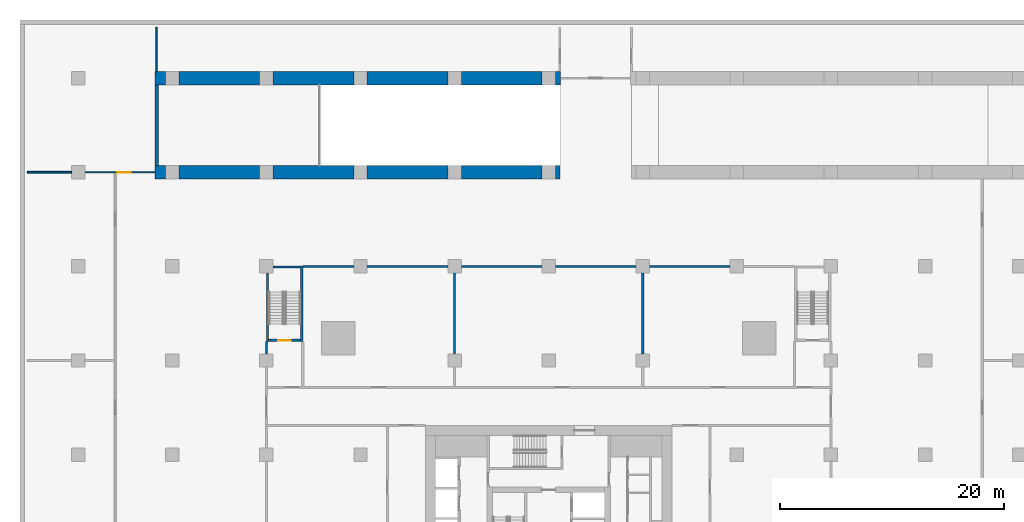
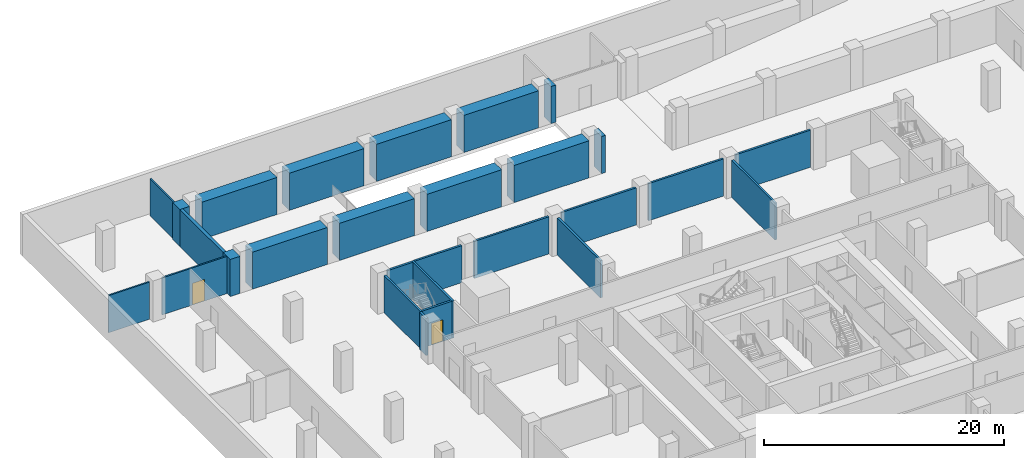
# One storey, part 9 of 16: 28 walls, 2 doors, 2 openings.
"""IFC4 building model written with IfcOpenShell, lengths in metres."""

from ifc_helpers import new_model, si_unit, direction, frame, frame_2d, origin, place, context, subcontext, project, spatial, rectangle, extrude, material, layer, layer_set, type_object, element, fill, save


model = new_model("IFC4")

# Units and contexts
model_context = context("Model", 3, precision=1e-05, world=origin(), true_north=direction((0.0, 1.0)))
body_context = subcontext(model_context, "Body", "Model", "MODEL_VIEW")
ifc_project = project(units=[si_unit("LENGTHUNIT", "METRE"), si_unit("AREAUNIT", "SQUARE_METRE"), si_unit("VOLUMEUNIT", "CUBIC_METRE"), si_unit("PLANEANGLEUNIT", "RADIAN"), si_unit("MASSUNIT", "GRAM", prefix="KILO")], contexts=[model_context])

# Site, building, storey
site_placement = place(None, origin())
site = spatial("IfcSite", under=ifc_project, at=site_placement, CompositionType="ELEMENT")
building_placement = place(site_placement, origin())
building = spatial("IfcBuilding", under=site, at=building_placement, Name="Khepri Terraces", CompositionType="ELEMENT")
storey_placement = place(building_placement, frame((0.0, 0.0, -4.199951171875)))
storey = spatial("IfcBuildingStorey", under=building, at=storey_placement, Name="B1", CompositionType="ELEMENT", Elevation=-4.199951171875)

# Wall
ifc_material_1 = material(Name="Gypsum board partition")
ifc_layer_1 = layer(ifc_material_1, 0.14990234375, Name="Gypsum board partition")
ifc_layer_set_1 = layer_set([ifc_layer_1], Name="Gypsum board partition")
wall_type_1 = type_object("IfcWallType", Name="WL-POD-150", PredefinedType="PARTITIONING", material=ifc_layer_set_1)
wall_1_placement = place(storey_placement, frame((-46.550048828125, 33.60009765625, 0.0), z_axis=(0.0, 0.0, 1.0), x_axis=(1.0, 0.0, 0.0)))
element("IfcWall", 1, at=wall_1_placement, inside=storey, type_object=wall_type_1, Name="Partition B1-PW034", PredefinedType="PARTITIONING", context=body_context, shape_type="SweptSolid", body=[
    extrude(rectangle(XDim=3.949951171875, YDim=0.14990234375, at=frame_2d((1.97509765625, 0.0))), origin(), (0.0, 0.0, 1.0), 3.780029296875),
])

# Wall, opening, door
wall_2_placement = place(storey_placement, frame((-41.39990234375, 33.60009765625, 0.0), z_axis=(0.0, 0.0, 1.0), x_axis=(1.0, 0.0, 0.0)))
wall_2 = element("IfcWall", 2, at=wall_2_placement, inside=storey, type_object=wall_type_1, Name="Partition B1-PW035", PredefinedType="PARTITIONING", context=body_context, shape_type="SweptSolid", body=[
    extrude(rectangle(XDim=6.25, YDim=0.14990234375, at=frame_2d((3.125, 0.0))), origin(), (0.0, 0.0, 1.0), 3.780029296875),
])
opening_1_placement = place(wall_2_placement, frame((2.89990234375, 0.0, 0.0)))
opening_1 = element("IfcOpeningElement", 3, at=opening_1_placement, cuts=wall_2, Name="Opening B1-P35", PredefinedType="OPENING", context=body_context, shape_type="SweptSolid", body=[
    extrude(rectangle(XDim=1.199951171875, YDim=2.199951171875, at=frame_2d((0.60009765625, 1.10009765625))), frame((0.0, 0.0849609375, 0.0), z_axis=(0.0, -1.0, 0.0), x_axis=(1.0, 0.0, 0.0)), (0.0, 0.0, 1.0), 0.169921875),
])
ifc_material_2 = material(Name="Timber veneer", Category="wood")
door_type_1 = type_object("IfcDoorType", Name="DR-POD-SINGLE-1200", OperationType="NOTDEFINED", PredefinedType="DOOR", material=ifc_material_2)
door_1_placement = place(opening_1_placement, origin())
door_1 = element("IfcDoor", 4, at=door_1_placement, inside=storey, type_object=door_type_1, Name="Door B1-P35", OperationType="SINGLE_SWING_RIGHT", OverallHeight=2.199951171875, OverallWidth=1.199951171875, PredefinedType="DOOR", context=body_context, shape_type="SweptSolid", body=[
    extrude(rectangle(XDim=1.199951171875, YDim=2.199951171875, at=frame_2d((0.60009765625, 1.10009765625))), frame((0.0, 0.02490234375, 0.0), z_axis=(0.0, -1.0, 0.0), x_axis=(1.0, 0.0, 0.0)), (0.0, 0.0, 1.0), 0.050048828125),
])
fill(opening_1, door_1)

# Walls
wall_3_placement = place(storey_placement, frame((-35.0, 42.60009765625, 0.0), z_axis=(0.0, 0.0, 1.0), x_axis=(0.0, 1.0, 0.0)))
element("IfcWall", 5, at=wall_3_placement, inside=storey, type_object=wall_type_1, Name="Partition B1-PW063", PredefinedType="PARTITIONING", context=body_context, shape_type="SweptSolid", body=[
    extrude(rectangle(XDim=3.949951171875, YDim=0.14990234375, at=frame_2d((1.97509765625, 0.0))), origin(), (0.0, 0.0, 1.0), 3.780029296875),
])
ifc_material_3 = material(Name="Fire-rated block wall")
ifc_layer_2 = layer(ifc_material_3, 0.199951171875, Name="Fire-rated block wall")
ifc_layer_set_2 = layer_set([ifc_layer_2], Name="Fire-rated block wall")
wall_type_2 = type_object("IfcWallType", Name="WL-POD-200-EI120", PredefinedType="PARTITIONING", material=ifc_layer_set_2)
wall_4_placement = place(storey_placement, frame((-21.949951171875, 25.199951171875, 0.0), z_axis=(0.0, 0.0, 1.0), x_axis=(1.0, 0.0, 0.0)))
element("IfcWall", 6, at=wall_4_placement, inside=storey, type_object=wall_type_2, Name="Partition B1-PW028", PredefinedType="PARTITIONING", context=body_context, shape_type="SweptSolid", body=[
    extrude(rectangle(XDim=4.550048828125, YDim=0.199951171875, at=frame_2d((2.27490234375, 0.0))), origin(), (0.0, 0.0, 1.0), 3.780029296875),
])
for number, where, z_axis, x_axis, name in (
    (7, (-16.199951171875, 25.199951171875, 0.0), (0.0, 0.0, 1.0), (1.0, 0.0, 0.0), "Partition B1-PW029"),
    (8, (-7.800048828125, 25.199951171875, 0.0), (0.0, 0.0, 1.0), (1.0, 0.0, 0.0), "Partition B1-PW030"),
    (9, (0.60009765625, 25.199951171875, 0.0), (0.0, 0.0, 1.0), (1.0, 0.0, 0.0), "Partition B1-PW031"),
    (10, (9.0, 25.199951171875, 0.0), (0.0, 0.0, 1.0), (1.0, 0.0, 0.0), "Partition B1-PW032"),
):
    element("IfcWall", number, at=place(storey_placement, frame(where, z_axis=z_axis, x_axis=x_axis)), inside=storey, type_object=wall_type_2, Name=name, PredefinedType="PARTITIONING", context=body_context, shape_type="SweptSolid", body=[
        extrude(rectangle(XDim=7.199951171875, YDim=0.199951171875, at=frame_2d((3.60009765625, 0.0))), origin(), (0.0, 0.0, 1.0), 3.780029296875),
    ])
wall_5_placement = place(storey_placement, frame((-25.199951171875, 17.39990234375, 0.0), z_axis=(0.0, 0.0, 1.0), x_axis=(0.0, 1.0, 0.0)))
element("IfcWall", 11, at=wall_5_placement, inside=storey, type_object=wall_type_2, Name="Partition B1-PW073", PredefinedType="PARTITIONING", context=body_context, shape_type="SweptSolid", body=[
    extrude(rectangle(XDim=1.10009765625, YDim=0.199951171875, at=frame_2d((0.550048828125, 0.0))), origin(), (0.0, 0.0, 1.0), 3.780029296875),
])
for number, where, z_axis, x_axis, name in (
    (12, (-8.39990234375, 17.39990234375, 0.0), (0.0, 0.0, 1.0), (0.0, 1.0, 0.0), "Partition B1-PW082"),
    (13, (8.39990234375, 17.39990234375, 0.0), (0.0, 0.0, 1.0), (0.0, 1.0, 0.0), "Partition B1-PW090"),
):
    element("IfcWall", number, at=place(storey_placement, frame(where, z_axis=z_axis, x_axis=x_axis)), inside=storey, type_object=wall_type_2, Name=name, PredefinedType="PARTITIONING", context=body_context, shape_type="SweptSolid", body=[
        extrude(rectangle(XDim=7.2001953125, YDim=0.199951171875, at=frame_2d((3.60009765625, 0.0))), origin(), (0.0, 0.0, 1.0), 3.780029296875),
    ])
ifc_material_4 = material(Name="Concrete C40/50", Category="concrete")
ifc_layer_3 = layer(ifc_material_4, 1.199951171875, Name="Concrete C40/50", Category="concrete")
ifc_layer_set_3 = layer_set([ifc_layer_3], Name="Concrete C40/50")
wall_type_3 = type_object("IfcWallType", Name="WL-POD-RAMP-1200", PredefinedType="SOLIDWALL", material=ifc_layer_set_3)
wall_6_placement = place(storey_placement, frame((-35.14990234375, 33.60009765625, 0.0), z_axis=(0.0, 0.0, 1.0), x_axis=(1.0, 0.0, 0.0)))
element("IfcWall", 14, at=wall_6_placement, inside=storey, type_object=wall_type_3, Name="Ramp wall B1-PW036", PredefinedType="SOLIDWALL", context=body_context, shape_type="SweptSolid", body=[
    extrude(rectangle(XDim=0.949951171875, YDim=1.199951171875, at=frame_2d((0.47509765625, 0.0))), origin(), (0.0, 0.0, 1.0), 3.780029296875),
])
wall_7_placement = place(storey_placement, frame((-33.0, 33.60009765625, 0.0), z_axis=(0.0, 0.0, 1.0), x_axis=(1.0, 0.0, 0.0)))
element("IfcWall", 15, at=wall_7_placement, inside=storey, type_object=wall_type_3, Name="Ramp wall B1-PW037", PredefinedType="SOLIDWALL", context=body_context, shape_type="SweptSolid", body=[
    extrude(rectangle(XDim=7.199951171875, YDim=1.199951171875, at=frame_2d((3.60009765625, 0.0))), origin(), (0.0, 0.0, 1.0), 3.780029296875),
])
wall_8_placement = place(storey_placement, frame((-24.60009765625, 33.60009765625, 0.0), z_axis=(0.0, 0.0, 1.0), x_axis=(1.0, 0.0, 0.0)))
element("IfcWall", 16, at=wall_8_placement, inside=storey, type_object=wall_type_3, Name="Ramp wall B1-PW038", PredefinedType="SOLIDWALL", context=body_context, shape_type="SweptSolid", body=[
    extrude(rectangle(XDim=7.2001953125, YDim=1.199951171875, at=frame_2d((3.60009765625, 0.0))), origin(), (0.0, 0.0, 1.0), 3.780029296875),
])
for number, where, z_axis, x_axis, name in (
    (17, (-16.199951171875, 33.60009765625, 0.0), (0.0, 0.0, 1.0), (1.0, 0.0, 0.0), "Ramp wall B1-PW039"),
    (18, (-7.800048828125, 33.60009765625, 0.0), (0.0, 0.0, 1.0), (1.0, 0.0, 0.0), "Ramp wall B1-PW040"),
):
    element("IfcWall", number, at=place(storey_placement, frame(where, z_axis=z_axis, x_axis=x_axis)), inside=storey, type_object=wall_type_3, Name=name, PredefinedType="SOLIDWALL", context=body_context, shape_type="SweptSolid", body=[
        extrude(rectangle(XDim=7.199951171875, YDim=1.199951171875, at=frame_2d((3.60009765625, 0.0))), origin(), (0.0, 0.0, 1.0), 3.780029296875),
    ])
wall_9_placement = place(storey_placement, frame((0.60009765625, 33.60009765625, 0.0), z_axis=(0.0, 0.0, 1.0), x_axis=(1.0, 0.0, 0.0)))
element("IfcWall", 19, at=wall_9_placement, inside=storey, type_object=wall_type_3, Name="Ramp wall B1-PW041", PredefinedType="SOLIDWALL", context=body_context, shape_type="SweptSolid", body=[
    extrude(rectangle(XDim=0.39990234375, YDim=1.199951171875, at=frame_2d((0.199951171875, 0.0))), origin(), (0.0, 0.0, 1.0), 3.780029296875),
])
wall_10_placement = place(storey_placement, frame((-35.14990234375, 42.0, 0.0), z_axis=(0.0, 0.0, 1.0), x_axis=(1.0, 0.0, 0.0)))
element("IfcWall", 20, at=wall_10_placement, inside=storey, type_object=wall_type_3, Name="Ramp wall B1-PW048", PredefinedType="SOLIDWALL", context=body_context, shape_type="SweptSolid", body=[
    extrude(rectangle(XDim=0.949951171875, YDim=1.199951171875, at=frame_2d((0.47509765625, 0.0))), origin(), (0.0, 0.0, 1.0), 3.780029296875),
])
wall_11_placement = place(storey_placement, frame((-33.0, 42.0, 0.0), z_axis=(0.0, 0.0, 1.0), x_axis=(1.0, 0.0, 0.0)))
element("IfcWall", 21, at=wall_11_placement, inside=storey, type_object=wall_type_3, Name="Ramp wall B1-PW049", PredefinedType="SOLIDWALL", context=body_context, shape_type="SweptSolid", body=[
    extrude(rectangle(XDim=7.199951171875, YDim=1.199951171875, at=frame_2d((3.60009765625, 0.0))), origin(), (0.0, 0.0, 1.0), 3.780029296875),
])
wall_12_placement = place(storey_placement, frame((-24.60009765625, 42.0, 0.0), z_axis=(0.0, 0.0, 1.0), x_axis=(1.0, 0.0, 0.0)))
element("IfcWall", 22, at=wall_12_placement, inside=storey, type_object=wall_type_3, Name="Ramp wall B1-PW050", PredefinedType="SOLIDWALL", context=body_context, shape_type="SweptSolid", body=[
    extrude(rectangle(XDim=7.2001953125, YDim=1.199951171875, at=frame_2d((3.60009765625, 0.0))), origin(), (0.0, 0.0, 1.0), 3.780029296875),
])
for number, where, z_axis, x_axis, name in (
    (23, (-16.199951171875, 42.0, 0.0), (0.0, 0.0, 1.0), (1.0, 0.0, 0.0), "Ramp wall B1-PW051"),
    (24, (-7.800048828125, 42.0, 0.0), (0.0, 0.0, 1.0), (1.0, 0.0, 0.0), "Ramp wall B1-PW052"),
):
    element("IfcWall", number, at=place(storey_placement, frame(where, z_axis=z_axis, x_axis=x_axis)), inside=storey, type_object=wall_type_3, Name=name, PredefinedType="SOLIDWALL", context=body_context, shape_type="SweptSolid", body=[
        extrude(rectangle(XDim=7.199951171875, YDim=1.199951171875, at=frame_2d((3.60009765625, 0.0))), origin(), (0.0, 0.0, 1.0), 3.780029296875),
    ])
wall_13_placement = place(storey_placement, frame((0.60009765625, 42.0, 0.0), z_axis=(0.0, 0.0, 1.0), x_axis=(1.0, 0.0, 0.0)))
element("IfcWall", 25, at=wall_13_placement, inside=storey, type_object=wall_type_3, Name="Ramp wall B1-PW053", PredefinedType="SOLIDWALL", context=body_context, shape_type="SweptSolid", body=[
    extrude(rectangle(XDim=0.474853515625, YDim=1.199951171875, at=frame_2d((0.2373046875, 0.0))), origin(), (0.0, 0.0, 1.0), 3.780029296875),
])
ifc_layer_4 = layer(ifc_material_4, 0.300048828125, Name="Concrete C40/50", Category="concrete")
ifc_layer_set_4 = layer_set([ifc_layer_4], Name="Concrete C40/50")
wall_type_4 = type_object("IfcWallType", Name="WL-POD-RAMP-300", PredefinedType="SOLIDWALL", material=ifc_layer_set_4)
wall_14_placement = place(storey_placement, frame((-35.0, 34.199951171875, 0.0), z_axis=(0.0, 0.0, 1.0), x_axis=(0.0, 1.0, 0.0)))
element("IfcWall", 26, at=wall_14_placement, inside=storey, type_object=wall_type_4, Name="Ramp wall B1-PW062", PredefinedType="SOLIDWALL", context=body_context, shape_type="SweptSolid", body=[
    extrude(rectangle(XDim=7.199951171875, YDim=0.300048828125, at=frame_2d((3.60009765625, 0.0))), origin(), (0.0, 0.0, 1.0), 3.780029296875),
])
ifc_layer_5 = layer(ifc_material_4, 0.199951171875, Name="Concrete C40/50", Category="concrete")
ifc_layer_set_5 = layer_set([ifc_layer_5], Name="Concrete C40/50")
wall_type_5 = type_object("IfcWallType", Name="WL-POD-STAIR-200", PredefinedType="SOLIDWALL", material=ifc_layer_set_5)
wall_15_placement = place(storey_placement, frame((-25.10009765625, 18.5, 0.0), z_axis=(0.0, 0.0, 1.0), x_axis=(0.0, 1.0, 0.0)))
element("IfcWall", 27, at=wall_15_placement, inside=storey, type_object=wall_type_5, Name="Stair enclosure PS-2 B1-W", PredefinedType="SOLIDWALL", context=body_context, shape_type="SweptSolid", body=[
    extrude(rectangle(XDim=6.10009765625, YDim=0.199951171875, at=frame_2d((3.050048828125, 0.0))), origin(), (0.0, 0.0, 1.0), 3.780029296875),
])
wall_16_placement = place(storey_placement, frame((-22.050048828125, 18.5, 0.0), z_axis=(0.0, 0.0, 1.0), x_axis=(0.0, 1.0, 0.0)))
element("IfcWall", 28, at=wall_16_placement, inside=storey, type_object=wall_type_5, Name="Stair enclosure PS-2 B1-E", PredefinedType="SOLIDWALL", context=body_context, shape_type="SweptSolid", body=[
    extrude(rectangle(XDim=6.739990234375, YDim=0.199951171875, at=frame_2d((3.3701171875, 0.0))), origin(), (0.0, 0.0, 1.0), 3.780029296875),
])

# Wall, opening, door
wall_17_placement = place(storey_placement, frame((-25.0, 18.60009765625, 0.0), z_axis=(0.0, 0.0, 1.0), x_axis=(1.0, 0.0, 0.0)))
wall_17 = element("IfcWall", 29, at=wall_17_placement, inside=storey, type_object=wall_type_5, Name="Stair enclosure PS-2 B1-S", PredefinedType="SOLIDWALL", context=body_context, shape_type="SweptSolid", body=[
    extrude(rectangle(XDim=2.85009765625, YDim=0.199951171875, at=frame_2d((1.425048828125, 0.0))), origin(), (0.0, 0.0, 1.0), 3.780029296875),
])
opening_2_placement = place(wall_17_placement, frame((0.875, 0.0, 0.0)))
opening_2 = element("IfcOpeningElement", 30, at=opening_2_placement, cuts=wall_17, Name="Opening B1-PS-2D", PredefinedType="OPENING", context=body_context, shape_type="SweptSolid", body=[
    extrude(rectangle(XDim=1.10009765625, YDim=2.199951171875, at=frame_2d((0.550048828125, 1.10009765625))), frame((0.0, 0.10986328125, 0.0), z_axis=(0.0, -1.0, 0.0), x_axis=(1.0, 0.0, 0.0)), (0.0, 0.0, 1.0), 0.219970703125),
])
ifc_material_5 = material(Name="Painted steel", Category="steel")
door_type_2 = type_object("IfcDoorType", Name="DR-POD-STAIR-1100", OperationType="NOTDEFINED", PredefinedType="DOOR", material=ifc_material_5)
door_2_placement = place(opening_2_placement, origin())
door_2 = element("IfcDoor", 31, at=door_2_placement, inside=storey, type_object=door_type_2, Name="Stair door B1-PS-2D", OperationType="SINGLE_SWING_LEFT", OverallHeight=2.199951171875, OverallWidth=1.10009765625, PredefinedType="DOOR", context=body_context, shape_type="SweptSolid", body=[
    extrude(rectangle(XDim=1.10009765625, YDim=2.199951171875, at=frame_2d((0.550048828125, 1.10009765625))), frame((0.0, 0.02490234375, 0.0), z_axis=(0.0, -1.0, 0.0), x_axis=(1.0, 0.0, 0.0)), (0.0, 0.0, 1.0), 0.050048828125),
])
fill(opening_2, door_2)

# Wall
wall_18_placement = place(storey_placement, frame((-24.60009765625, 25.139892578125, 0.0), z_axis=(0.0, 0.0, 1.0), x_axis=(1.0, 0.0, 0.0)))
element("IfcWall", 32, at=wall_18_placement, inside=storey, type_object=wall_type_5, Name="Stair enclosure PS-2 B1-N", PredefinedType="SOLIDWALL", context=body_context, shape_type="SweptSolid", body=[
    extrude(rectangle(XDim=2.4501953125, YDim=0.199951171875, at=frame_2d((1.22509765625, 0.0))), origin(), (0.0, 0.0, 1.0), 3.780029296875),
])

save(model, "model.ifc")
